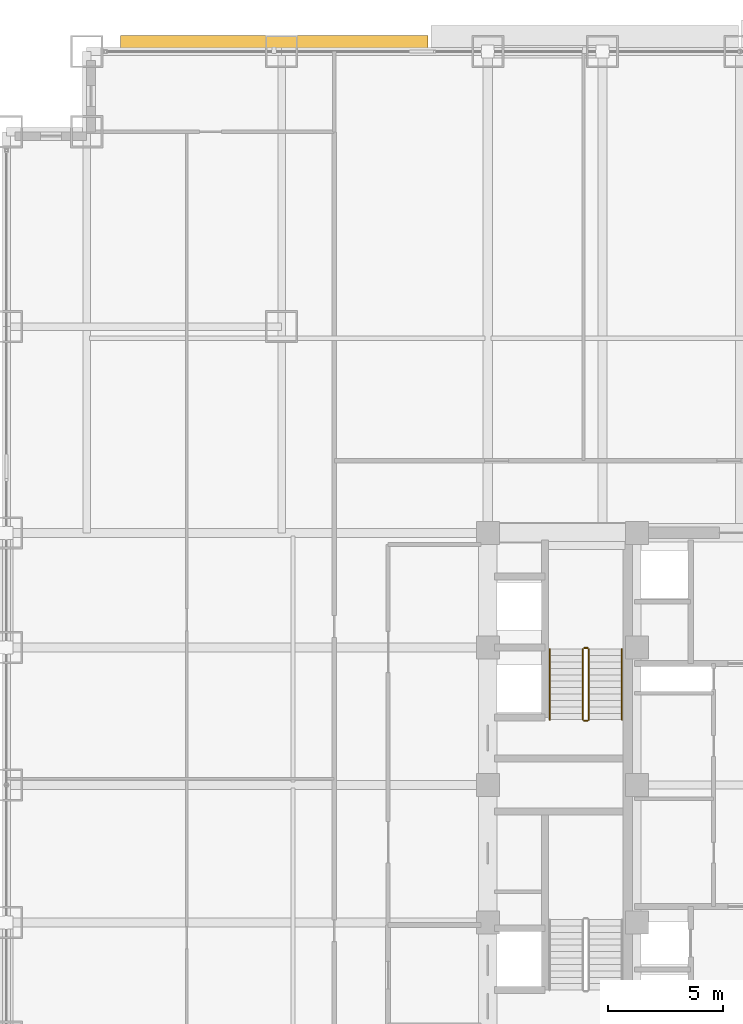
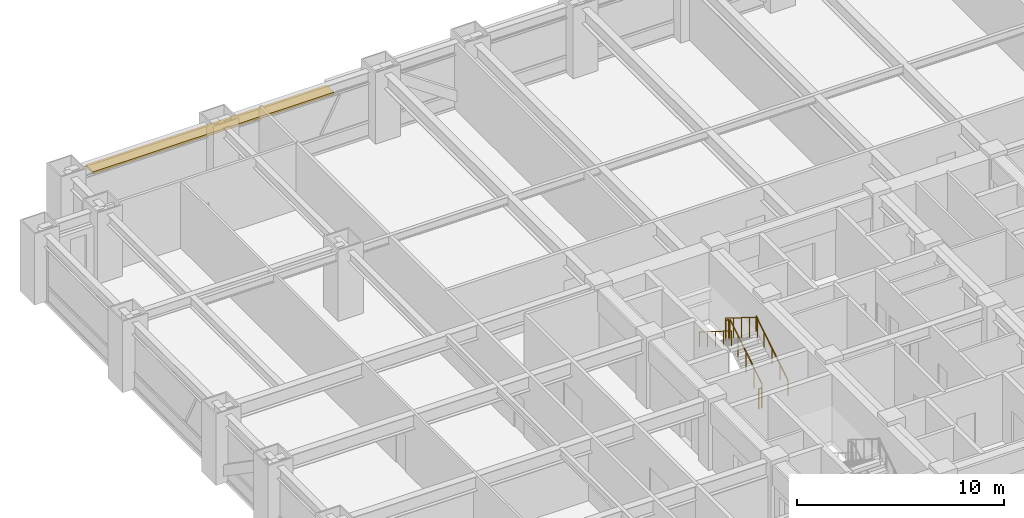
# One storey, part 31 of 32: 6 railings, 1 shading device.
"""IFC4 building model written with IfcOpenShell, lengths in metres."""

from ifc_helpers import new_model, si_unit, direction, frame, origin, origin_2d, place, context, subcontext, project, spatial, rectangle, circle, extrude, source, transform, mapped, material, layer, layer_set, type_object, element, save


model = new_model("IFC4")

# Units and contexts
model_context = context("Model", 3, precision=1e-05, world=origin(), true_north=direction((0.0, 1.0)))
body_context = subcontext(model_context, "Body", "Model", "MODEL_VIEW")
ifc_project = project(units=[si_unit("LENGTHUNIT", "METRE"), si_unit("AREAUNIT", "SQUARE_METRE"), si_unit("VOLUMEUNIT", "CUBIC_METRE"), si_unit("PLANEANGLEUNIT", "RADIAN"), si_unit("MASSUNIT", "GRAM", prefix="KILO")], contexts=[model_context])

# Site, building, storey
site_placement = place(None, origin())
site = spatial("IfcSite", under=ifc_project, at=site_placement, CompositionType="ELEMENT")
building_placement = place(site_placement, origin())
building = spatial("IfcBuilding", under=site, at=building_placement, Name="Khorayat Bourse Tower", CompositionType="ELEMENT")
storey_placement = place(building_placement, frame((0.0, 0.0, 78.800048828125)))
storey = spatial("IfcBuildingStorey", under=building, at=storey_placement, Name="L17", CompositionType="ELEMENT", Elevation=78.800048828125)

# Shading device
ifc_material_1 = material(Name="Precast concrete C45/55", Category="concrete")
ifc_layer = layer(ifc_material_1, 0.139892578125)
ifc_layer_set = layer_set([ifc_layer], Name="Precast concrete C45/55")
shading_device_type = type_object("IfcShadingDeviceType", Name="SHD-WAVE-TRAY-B", PredefinedType="USERDEFINED", material=ifc_layer_set)
shared_shape_1 = source(origin(), body_context, "Body", "SweptSolid", [
    extrude(rectangle(XDim=13.409912109375, YDim=0.71337890625, at=origin_2d()), origin(), (0.0, 0.0, 1.0), 0.139892578125),
])
shading_device_placement = place(storey_placement, frame((-20.324951171875, 32.3369140625, 3.18994140625), z_axis=(0.0, 0.0, 1.0), x_axis=(1.0, 0.0, 0.0)))
element("IfcShadingDevice", 1, at=shading_device_placement, inside=storey, type_object=shading_device_type, Name="L17 Sinusoidal Wave Sunshade Tray N-1", ObjectType="SUNSHADE", PredefinedType="USERDEFINED", context=body_context, shape_type="MappedRepresentation", body=[
    mapped(shared_shape_1, transform((0.0, 0.0, 0.0), scale=1.0)),
])

# Railings
ifc_material_2 = material(Name="Powder-coated steel balustrade", Category="steel")
railing_type_1 = type_object("IfcRailingType", Name="RLG-GUARD-1200", PredefinedType="GUARDRAIL", material=ifc_material_2)
shared_shape_2 = source(origin(), body_context, "Body", "SweptSolid", [
    extrude(circle(Radius=0.02392578125, at=origin_2d()), frame((0.0, 0.0, 1.17578125), z_axis=(-1.0, 0.0, 0.0), x_axis=(0.0, -1.0, 0.0)), (0.0, 0.0, 1.0), 0.150146484375),
    extrude(circle(Radius=0.02099609375, at=origin_2d()), origin(), (0.0, 0.0, 1.0), 1.15185546875),
    extrude(circle(Radius=0.02099609375, at=origin_2d()), frame((-0.150146484375, 0.0, 0.0)), (0.0, 0.0, 1.0), 1.15185546875),
])
for number, where, name in (
    (2, (-6.64990234375, 5.97998046875, 2.099853515625), "L17 ST-2 stair guard 2"),
    (3, (-6.64990234375, 2.800048828125, 0.0), "L17 ST-2 stair guard 4"),
):
    element("IfcRailing", number, at=place(storey_placement, frame(where)), inside=storey, type_object=railing_type_1, Name=name, PredefinedType="GUARDRAIL", context=body_context, shape_type="MappedRepresentation", body=[
        mapped(shared_shape_2, transform((0.0, 0.0, 0.0), scale=1.0)),
    ])
shared_shape_3 = source(origin(), body_context, "Body", "SweptSolid", [
    extrude(circle(Radius=0.02392578125, at=origin_2d()), frame((0.0, 0.0, 1.17578125), z_axis=(0.0, -0.847979421464, 0.530029150871), x_axis=(1.0, 0.0, 0.0)), (0.0, 0.0, 1.0), 3.632080078125),
    extrude(circle(Radius=0.02099609375, at=origin_2d()), origin(), (0.0, 0.0, 1.0), 1.15185546875),
    extrude(circle(Radius=0.02099609375, at=origin_2d()), frame((0.0, -0.77001953125, 0.481201171875)), (0.0, 0.0, 1.0), 1.15185546875),
    extrude(circle(Radius=0.02099609375, at=origin_2d()), frame((0.0, -1.5400390625, 0.96240234375)), (0.0, 0.0, 1.0), 1.15185546875),
    extrude(circle(Radius=0.02099609375, at=origin_2d()), frame((0.0, -2.309814453125, 1.44384765625)), (0.0, 0.0, 1.0), 1.15185546875),
    extrude(circle(Radius=0.02099609375, at=origin_2d()), frame((0.0, -3.079833984375, 1.925048828125)), (0.0, 0.0, 1.0), 1.15185546875),
])
railing_1_placement = place(storey_placement, frame((-6.85009765625, 5.929931640625, 2.27490234375)))
element("IfcRailing", 4, at=railing_1_placement, inside=storey, type_object=railing_type_1, Name="L17 ST-2 stair guard 3", PredefinedType="GUARDRAIL", context=body_context, shape_type="MappedRepresentation", body=[
    mapped(shared_shape_3, transform((0.0, 0.0, 0.0), scale=1.0)),
])
ifc_material_3 = material(Name="Brushed bronze stainless-steel handrail", Category="steel")
railing_type_2 = type_object("IfcRailingType", Name="RLG-HAND-900", PredefinedType="HANDRAIL", material=ifc_material_3)
shared_shape_4 = source(origin(), body_context, "Body", "SweptSolid", [
    extrude(circle(Radius=0.02392578125, at=origin_2d()), frame((0.0, 0.0, 0.8759765625), z_axis=(0.0, -0.847979421464, 0.530029150871), x_axis=(1.0, 0.0, 0.0)), (0.0, 0.0, 1.0), 3.632080078125),
    extrude(circle(Radius=0.02099609375, at=origin_2d()), origin(), (0.0, 0.0, 1.0), 0.851806640625),
    extrude(circle(Radius=0.02099609375, at=origin_2d()), frame((0.0, -0.77001953125, 0.481201171875)), (0.0, 0.0, 1.0), 0.851806640625),
    extrude(circle(Radius=0.02099609375, at=origin_2d()), frame((0.0, -1.5400390625, 0.96240234375)), (0.0, 0.0, 1.0), 0.851806640625),
    extrude(circle(Radius=0.02099609375, at=origin_2d()), frame((0.0, -2.309814453125, 1.44384765625)), (0.0, 0.0, 1.0), 0.851806640625),
    extrude(circle(Radius=0.02099609375, at=origin_2d()), frame((0.0, -3.079833984375, 1.925048828125)), (0.0, 0.0, 1.0), 0.851806640625),
])
railing_2_placement = place(storey_placement, frame((-8.300048828125, 5.929931640625, 2.27490234375)))
element("IfcRailing", 5, at=railing_2_placement, inside=storey, type_object=railing_type_2, Name="L17 ST-2 stair handrail 2", PredefinedType="HANDRAIL", context=body_context, shape_type="MappedRepresentation", body=[
    mapped(shared_shape_4, transform((0.0, 0.0, 0.0), scale=1.0)),
])
shared_shape_5 = source(origin(), body_context, "Body", "SweptSolid", [
    extrude(circle(Radius=0.02392578125, at=origin_2d()), frame((0.0, 0.0, 1.17578125), z_axis=(0.0, 0.848009633417, 0.529980812513), x_axis=(-1.0, 0.0, 0.0)), (0.0, 0.0, 1.0), 3.6318359375),
    extrude(circle(Radius=0.02099609375, at=origin_2d()), origin(), (0.0, 0.0, 1.0), 1.15185546875),
    extrude(circle(Radius=0.02099609375, at=origin_2d()), frame((0.0, 0.77001953125, 0.481201171875)), (0.0, 0.0, 1.0), 1.15185546875),
    extrude(circle(Radius=0.02099609375, at=origin_2d()), frame((0.0, 1.5400390625, 0.96240234375)), (0.0, 0.0, 1.0), 1.15185546875),
    extrude(circle(Radius=0.02099609375, at=origin_2d()), frame((0.0, 2.309814453125, 1.443603515625)), (0.0, 0.0, 1.0), 1.15185546875),
    extrude(circle(Radius=0.02099609375, at=origin_2d()), frame((0.0, 3.079833984375, 1.9248046875)), (0.0, 0.0, 1.0), 1.15185546875),
])
railing_3_placement = place(storey_placement, frame((-6.60009765625, 2.85009765625, 0.175048828125)))
element("IfcRailing", 6, at=railing_3_placement, inside=storey, type_object=railing_type_1, Name="L17 ST-2 stair guard 1", PredefinedType="GUARDRAIL", context=body_context, shape_type="MappedRepresentation", body=[
    mapped(shared_shape_5, transform((0.0, 0.0, 0.0), scale=1.0)),
])
shared_shape_6 = source(origin(), body_context, "Body", "SweptSolid", [
    extrude(circle(Radius=0.02392578125, at=origin_2d()), frame((0.0, 0.0, 0.8759765625), z_axis=(0.0, 0.848009633417, 0.529980812513), x_axis=(-1.0, 0.0, 0.0)), (0.0, 0.0, 1.0), 3.6318359375),
    extrude(circle(Radius=0.02099609375, at=origin_2d()), origin(), (0.0, 0.0, 1.0), 0.851806640625),
    extrude(circle(Radius=0.02099609375, at=origin_2d()), frame((0.0, 0.77001953125, 0.481201171875)), (0.0, 0.0, 1.0), 0.851806640625),
    extrude(circle(Radius=0.02099609375, at=origin_2d()), frame((0.0, 1.5400390625, 0.96240234375)), (0.0, 0.0, 1.0), 0.851806640625),
    extrude(circle(Radius=0.02099609375, at=origin_2d()), frame((0.0, 2.309814453125, 1.443603515625)), (0.0, 0.0, 1.0), 0.851806640625),
    extrude(circle(Radius=0.02099609375, at=origin_2d()), frame((0.0, 3.079833984375, 1.9248046875)), (0.0, 0.0, 1.0), 0.851806640625),
])
railing_4_placement = place(storey_placement, frame((-5.14990234375, 2.85009765625, 0.175048828125)))
element("IfcRailing", 7, at=railing_4_placement, inside=storey, type_object=railing_type_2, Name="L17 ST-2 stair handrail 1", PredefinedType="HANDRAIL", context=body_context, shape_type="MappedRepresentation", body=[
    mapped(shared_shape_6, transform((0.0, 0.0, 0.0), scale=1.0)),
])

save(model, "model.ifc")
